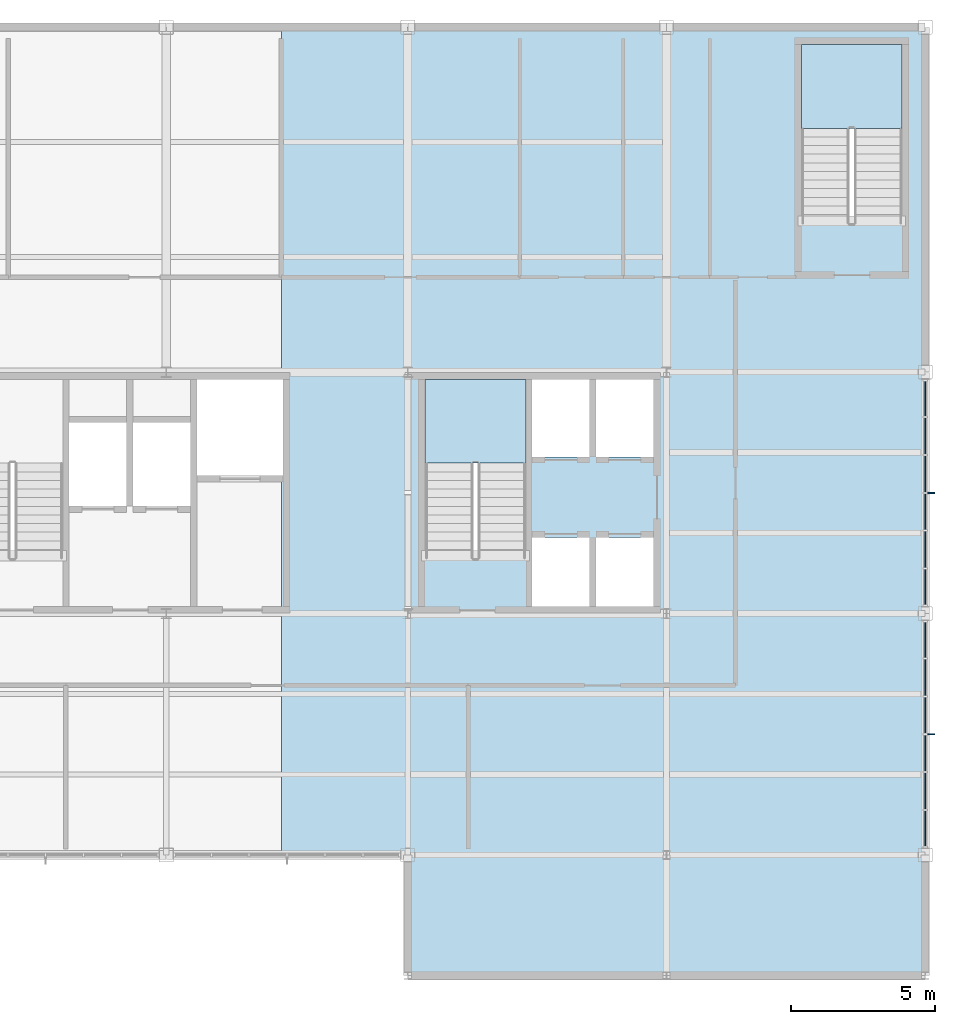
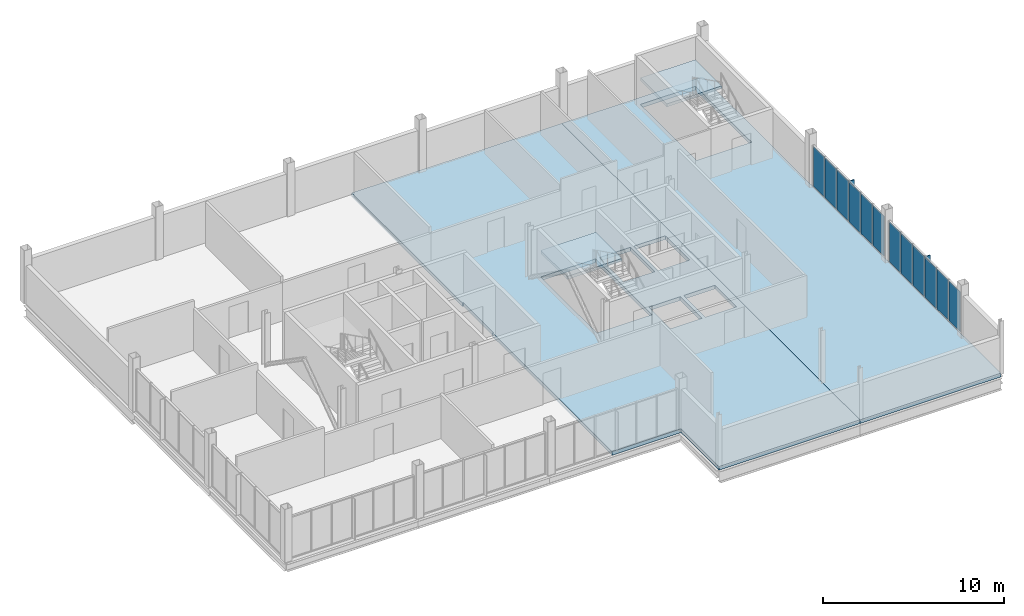
# One storey, part 11 of 16: 14 plates, 4 slabs, 4 elements without a shape of their own.
"""IFC4 building model written with IfcOpenShell, lengths in metres."""

from ifc_helpers import new_model, si_unit, direction, frame, origin, origin_2d, place, context, subcontext, project, spatial, polyline, rectangle, outline, extrude, material, layer, layer_set, type_object, element, aggregate, save


model = new_model("IFC4")

# Units and contexts
model_context = context("Model", 3, precision=1e-05, world=origin(), true_north=direction((0.0, 1.0)))
body_context = subcontext(model_context, "Body", "Model", "MODEL_VIEW")
ifc_project = project(units=[si_unit("LENGTHUNIT", "METRE"), si_unit("AREAUNIT", "SQUARE_METRE"), si_unit("VOLUMEUNIT", "CUBIC_METRE"), si_unit("PLANEANGLEUNIT", "RADIAN"), si_unit("MASSUNIT", "GRAM", prefix="KILO")], contexts=[model_context])

# Site, building, storey
site_placement = place(None, origin())
site = spatial("IfcSite", under=ifc_project, at=site_placement, CompositionType="ELEMENT")
building_placement = place(site_placement, origin())
building = spatial("IfcBuilding", under=site, at=building_placement, Name="Yukiwa Park Conservatory and Herbarium", CompositionType="ELEMENT")
storey_placement = place(building_placement, frame((0.0, 0.0, 39.60009765625)))
storey = spatial("IfcBuildingStorey", under=building, at=storey_placement, Name="L10", CompositionType="ELEMENT", Elevation=39.60009765625)

# Curtain wall, plates
ifc_material_1 = material(Name="Triple Low-E Insulated Glass", Category="glass")
ifc_layer_1 = layer(ifc_material_1, 0.22412109375)
ifc_layer_set_1 = layer_set([ifc_layer_1], Name="Triple Low-E Insulated Glass")
curtain_wall_type = type_object("IfcCurtainWallType", Name="CW-TOWER-CORNER-1400", PredefinedType="NOTDEFINED", material=ifc_layer_set_1)
curtain_wall_1_placement = place(storey_placement, origin())
curtain_wall_1 = element("IfcCurtainWall", 1, at=curtain_wall_1_placement, inside=storey, type_object=curtain_wall_type, Name="L10 unitised curtain wall CW-L10-105", PredefinedType="NOTDEFINED")
ifc_material_2 = material(Name="Triple Low-E Insulated Glass", Category="glass")
ifc_layer_2 = layer(ifc_material_2, 0.035888671875)
ifc_layer_set_2 = layer_set([ifc_layer_2], Name="Triple Low-E Insulated Glass")
plate_type_1 = type_object("IfcPlateType", Name="PL-CW-GLZ-36", PredefinedType="CURTAIN_PANEL", material=ifc_layer_set_2)
plate_1_placement = place(storey_placement, frame((168.0, 87.308349609375, 0.06982421875), z_axis=(0.0, 0.0, 1.0), x_axis=(0.0, 1.0, 0.0)))
plate_1 = element("IfcPlate", 2, at=plate_1_placement, type_object=plate_type_1, Name="CW-L10-105 vision panel 1.1", PredefinedType="CURTAIN_PANEL", context=body_context, shape_type="SweptSolid", body=[
    extrude(rectangle(XDim=1.24658203125, YDim=0.035888671875, at=origin_2d()), origin(), (0.0, 0.0, 1.0), 2.701904296875),
])
plate_2_placement = place(storey_placement, frame((168.0, 88.625, 0.06982421875), z_axis=(0.0, 0.0, 1.0), x_axis=(0.0, 1.0, 0.0)))
plate_2 = element("IfcPlate", 3, at=plate_2_placement, type_object=plate_type_1, Name="CW-L10-105 vision panel 2.1", PredefinedType="CURTAIN_PANEL", context=body_context, shape_type="SweptSolid", body=[
    extrude(rectangle(XDim=1.24658203125, YDim=0.035888671875, at=origin_2d()), origin(), (0.0, 0.0, 1.0), 2.701904296875),
])
plate_3_placement = place(storey_placement, frame((168.0, 89.941650390625, 0.06982421875), z_axis=(0.0, 0.0, 1.0), x_axis=(0.0, 1.0, 0.0)))
plate_3 = element("IfcPlate", 4, at=plate_3_placement, type_object=plate_type_1, Name="CW-L10-105 vision panel 3.1", PredefinedType="CURTAIN_PANEL", context=body_context, shape_type="SweptSolid", body=[
    extrude(rectangle(XDim=1.24658203125, YDim=0.035888671875, at=origin_2d()), origin(), (0.0, 0.0, 1.0), 2.701904296875),
])
plate_4_placement = place(storey_placement, frame((168.0, 91.25830078125, 0.06982421875), z_axis=(0.0, 0.0, 1.0), x_axis=(0.0, 1.0, 0.0)))
plate_4 = element("IfcPlate", 5, at=plate_4_placement, type_object=plate_type_1, Name="CW-L10-105 vision panel 4.1", PredefinedType="CURTAIN_PANEL", context=body_context, shape_type="SweptSolid", body=[
    extrude(rectangle(XDim=1.24658203125, YDim=0.035888671875, at=origin_2d()), origin(), (0.0, 0.0, 1.0), 2.701904296875),
])
plate_5_placement = place(storey_placement, frame((168.0, 92.574951171875, 0.06982421875), z_axis=(0.0, 0.0, 1.0), x_axis=(0.0, 1.0, 0.0)))
plate_5 = element("IfcPlate", 6, at=plate_5_placement, type_object=plate_type_1, Name="CW-L10-105 vision panel 5.1", PredefinedType="CURTAIN_PANEL", context=body_context, shape_type="SweptSolid", body=[
    extrude(rectangle(XDim=1.24658203125, YDim=0.035888671875, at=origin_2d()), origin(), (0.0, 0.0, 1.0), 2.701904296875),
])
plate_6_placement = place(storey_placement, frame((168.0, 93.8916015625, 0.06982421875), z_axis=(0.0, 0.0, 1.0), x_axis=(0.0, 1.0, 0.0)))
plate_6 = element("IfcPlate", 7, at=plate_6_placement, type_object=plate_type_1, Name="CW-L10-105 vision panel 6.1", PredefinedType="CURTAIN_PANEL", context=body_context, shape_type="SweptSolid", body=[
    extrude(rectangle(XDim=1.24658203125, YDim=0.035888671875, at=origin_2d()), origin(), (0.0, 0.0, 1.0), 2.701904296875),
])
aggregate(curtain_wall_1, [plate_1, plate_2, plate_3, plate_4, plate_5, plate_6])

curtain_wall_2_placement = place(storey_placement, origin())
curtain_wall_2 = element("IfcCurtainWall", 8, at=curtain_wall_2_placement, inside=storey, type_object=curtain_wall_type, Name="L10 unitised curtain wall CW-L10-106", PredefinedType="NOTDEFINED")
plate_7_placement = place(storey_placement, frame((168.0, 95.708251953125, 0.06982421875), z_axis=(0.0, 0.0, 1.0), x_axis=(0.0, 1.0, 0.0)))
plate_7 = element("IfcPlate", 9, at=plate_7_placement, type_object=plate_type_1, Name="CW-L10-106 vision panel 1.1", PredefinedType="CURTAIN_PANEL", context=body_context, shape_type="SweptSolid", body=[
    extrude(rectangle(XDim=1.24658203125, YDim=0.035888671875, at=origin_2d()), origin(), (0.0, 0.0, 1.0), 2.701904296875),
])
plate_8_placement = place(storey_placement, frame((168.0, 97.02490234375, 0.06982421875), z_axis=(0.0, 0.0, 1.0), x_axis=(0.0, 1.0, 0.0)))
plate_8 = element("IfcPlate", 10, at=plate_8_placement, type_object=plate_type_1, Name="CW-L10-106 vision panel 2.1", PredefinedType="CURTAIN_PANEL", context=body_context, shape_type="SweptSolid", body=[
    extrude(rectangle(XDim=1.24658203125, YDim=0.035888671875, at=origin_2d()), origin(), (0.0, 0.0, 1.0), 2.701904296875),
])
plate_9_placement = place(storey_placement, frame((168.0, 98.341796875, 0.06982421875), z_axis=(0.0, 0.0, 1.0), x_axis=(0.0, 1.0, 0.0)))
plate_9 = element("IfcPlate", 11, at=plate_9_placement, type_object=plate_type_1, Name="CW-L10-106 vision panel 3.1", PredefinedType="CURTAIN_PANEL", context=body_context, shape_type="SweptSolid", body=[
    extrude(rectangle(XDim=1.24658203125, YDim=0.035888671875, at=origin_2d()), origin(), (0.0, 0.0, 1.0), 2.701904296875),
])
plate_10_placement = place(storey_placement, frame((168.0, 99.658203125, 0.06982421875), z_axis=(0.0, 0.0, 1.0), x_axis=(0.0, 1.0, 0.0)))
plate_10 = element("IfcPlate", 12, at=plate_10_placement, type_object=plate_type_1, Name="CW-L10-106 vision panel 4.1", PredefinedType="CURTAIN_PANEL", context=body_context, shape_type="SweptSolid", body=[
    extrude(rectangle(XDim=1.24658203125, YDim=0.035888671875, at=origin_2d()), origin(), (0.0, 0.0, 1.0), 2.701904296875),
])
plate_11_placement = place(storey_placement, frame((168.0, 100.97509765625, 0.06982421875), z_axis=(0.0, 0.0, 1.0), x_axis=(0.0, 1.0, 0.0)))
plate_11 = element("IfcPlate", 13, at=plate_11_placement, type_object=plate_type_1, Name="CW-L10-106 vision panel 5.1", PredefinedType="CURTAIN_PANEL", context=body_context, shape_type="SweptSolid", body=[
    extrude(rectangle(XDim=1.24658203125, YDim=0.035888671875, at=origin_2d()), origin(), (0.0, 0.0, 1.0), 2.701904296875),
])
plate_12_placement = place(storey_placement, frame((168.0, 102.291748046875, 0.06982421875), z_axis=(0.0, 0.0, 1.0), x_axis=(0.0, 1.0, 0.0)))
plate_12 = element("IfcPlate", 14, at=plate_12_placement, type_object=plate_type_1, Name="CW-L10-106 vision panel 6.1", PredefinedType="CURTAIN_PANEL", context=body_context, shape_type="SweptSolid", body=[
    extrude(rectangle(XDim=1.24658203125, YDim=0.035888671875, at=origin_2d()), origin(), (0.0, 0.0, 1.0), 2.701904296875),
])
aggregate(curtain_wall_2, [plate_7, plate_8, plate_9, plate_10, plate_11, plate_12])

# Plates
ifc_material_3 = material(Name="Anodised Aluminium", Category="aluminium")
ifc_layer_3 = layer(ifc_material_3, 0.050048828125)
ifc_layer_set_3 = layer_set([ifc_layer_3], Name="Anodised Aluminium")
plate_type_2 = type_object("IfcPlateType", Name="PL-FIN-ALU-50", PredefinedType="USERDEFINED", material=ifc_layer_set_3)
for number, where, z_axis, x_axis, name in (
    (15, (168.18994140625, 90.60009765625, 0.06005859375), (0.0, 0.0, 1.0), (0.0, 1.0, 0.0), "CW-L10-105 exterior vertical shading fin"),
    (16, (168.18994140625, 99.0, 0.06005859375), (0.0, 0.0, 1.0), (0.0, 1.0, 0.0), "CW-L10-106 exterior vertical shading fin"),
):
    element("IfcPlate", number, at=place(storey_placement, frame(where, z_axis=z_axis, x_axis=x_axis)), inside=storey, type_object=plate_type_2, Name=name, ObjectType="SHADING FIN", PredefinedType="USERDEFINED", context=body_context, shape_type="SweptSolid", body=[
        extrude(rectangle(XDim=0.050048828125, YDim=0.280029296875, at=origin_2d()), origin(), (0.0, 0.0, 1.0), 2.721923828125),
    ])

# Slabs
ifc_material_4 = material(Name="Concrete C40", Category="concrete")
ifc_layer_4 = layer(ifc_material_4, 0.251953125)
ifc_layer_set_4 = layer_set([ifc_layer_4], Name="Concrete C40")
slab_type_1 = type_object("IfcSlabType", Name="SL-FLR-252", PredefinedType="FLOOR", material=ifc_layer_set_4)
slab_1_placement = place(storey_placement, frame((0.0, 0.0, -0.252197265625)))
element("IfcSlab", 17, at=slab_1_placement, inside=storey, type_object=slab_type_1, Name="L10 composite structural floor slab V5C", PredefinedType="FLOOR", context=body_context, shape_type="SweptSolid", body=[
    extrude(outline(polyline([(150.0, 86.39990234375), (145.60009765625, 86.39990234375), (145.60009765625, 99.60009765625), (145.659912109375, 99.60009765625), (145.659912109375, 102.949951171875), (145.60009765625, 102.949951171875), (145.60009765625, 115.199951171875), (159.0, 115.199951171875), (159.0, 82.199951171875), (150.0, 82.199951171875), (150.0, 86.39990234375)]), holes=[polyline([(154.330078125, 97.449951171875), (154.330078125, 95.050048828125), (156.330078125, 95.050048828125), (156.330078125, 97.449951171875), (154.330078125, 97.449951171875)]), polyline([(156.550048828125, 97.449951171875), (156.550048828125, 95.050048828125), (158.550048828125, 95.050048828125), (158.550048828125, 97.449951171875), (156.550048828125, 97.449951171875)]), polyline([(154.110107421875, 102.949951171875), (150.60009765625, 102.949951171875), (150.60009765625, 96.72998046875), (154.110107421875, 96.72998046875), (154.110107421875, 102.949951171875)]), polyline([(154.330078125, 102.949951171875), (154.330078125, 100.25), (156.330078125, 100.25), (156.330078125, 102.949951171875), (154.330078125, 102.949951171875)]), polyline([(158.550048828125, 102.949951171875), (156.550048828125, 102.949951171875), (156.550048828125, 100.25), (158.550048828125, 100.25), (158.550048828125, 102.949951171875)])]), origin(), (0.0, 0.0, 1.0), 0.252197265625),
])
slab_2_placement = place(storey_placement, frame((0.0, 0.0, -0.252197265625)))
element("IfcSlab", 18, at=slab_2_placement, inside=storey, type_object=slab_type_1, Name="L10 composite structural floor slab V5E", PredefinedType="FLOOR", context=body_context, shape_type="SweptSolid", body=[
    extrude(outline(polyline([(168.0, 82.199951171875), (159.0, 82.199951171875), (159.0, 115.199951171875), (168.0, 115.199951171875), (168.0, 82.199951171875)]), holes=[polyline([(167.199951171875, 114.60009765625), (163.68994140625, 114.60009765625), (163.68994140625, 108.3798828125), (167.199951171875, 108.3798828125), (167.199951171875, 114.60009765625)])]), origin(), (0.0, 0.0, 1.0), 0.252197265625),
])

# Stair, slab
ifc_material_5 = material(Name="Concrete C40", Category="concrete")
stair_type_1 = type_object("IfcStairType", Name="ST-DOGLEG-ST-T2", PredefinedType="HALF_TURN_STAIR", material=ifc_material_5)
stair_1_placement = place(storey_placement, origin())
stair_1 = element("IfcStair", 19, at=stair_1_placement, inside=storey, type_object=stair_type_1, Name="L10 Protected Smoke-Proof Stair ST-T2", PredefinedType="HALF_TURN_STAIR")
ifc_material_6 = material(Name="Concrete C40", Category="concrete")
ifc_layer_5 = layer(ifc_material_6, 0.199951171875)
ifc_layer_set_5 = layer_set([ifc_layer_5], Name="Concrete C40")
slab_type_2 = type_object("IfcSlabType", Name="SL-LANDING-220", PredefinedType="LANDING", material=ifc_layer_set_5)
slab_3_placement = place(storey_placement, frame((0.0, 0.0, 1.599853515625)))
slab_3 = element("IfcSlab", 20, at=slab_3_placement, type_object=slab_type_2, Name="ST-T2 landing 1", PredefinedType="LANDING", context=body_context, shape_type="SweptSolid", body=[
    extrude(outline(polyline([(154.110107421875, 100.030029296875), (154.110107421875, 102.949951171875), (150.60009765625, 102.949951171875), (150.60009765625, 100.030029296875), (154.110107421875, 100.030029296875)])), origin(), (0.0, 0.0, 1.0), 0.199951171875),
])
aggregate(stair_1, [slab_3])

ifc_material_7 = material(Name="Concrete C40", Category="concrete")
stair_type_2 = type_object("IfcStairType", Name="ST-DOGLEG-ST-T3", PredefinedType="HALF_TURN_STAIR", material=ifc_material_7)
stair_2_placement = place(storey_placement, origin())
stair_2 = element("IfcStair", 21, at=stair_2_placement, inside=storey, type_object=stair_type_2, Name="L10 Protected Smoke-Proof Stair ST-T3", PredefinedType="HALF_TURN_STAIR")
slab_4_placement = place(storey_placement, frame((0.0, 0.0, 1.599853515625)))
slab_4 = element("IfcSlab", 22, at=slab_4_placement, type_object=slab_type_2, Name="ST-T3 landing 1", PredefinedType="LANDING", context=body_context, shape_type="SweptSolid", body=[
    extrude(outline(polyline([(167.199951171875, 111.679931640625), (167.199951171875, 114.60009765625), (163.68994140625, 114.60009765625), (163.68994140625, 111.679931640625), (167.199951171875, 111.679931640625)])), origin(), (0.0, 0.0, 1.0), 0.199951171875),
])
aggregate(stair_2, [slab_4])

save(model, "model.ifc")
